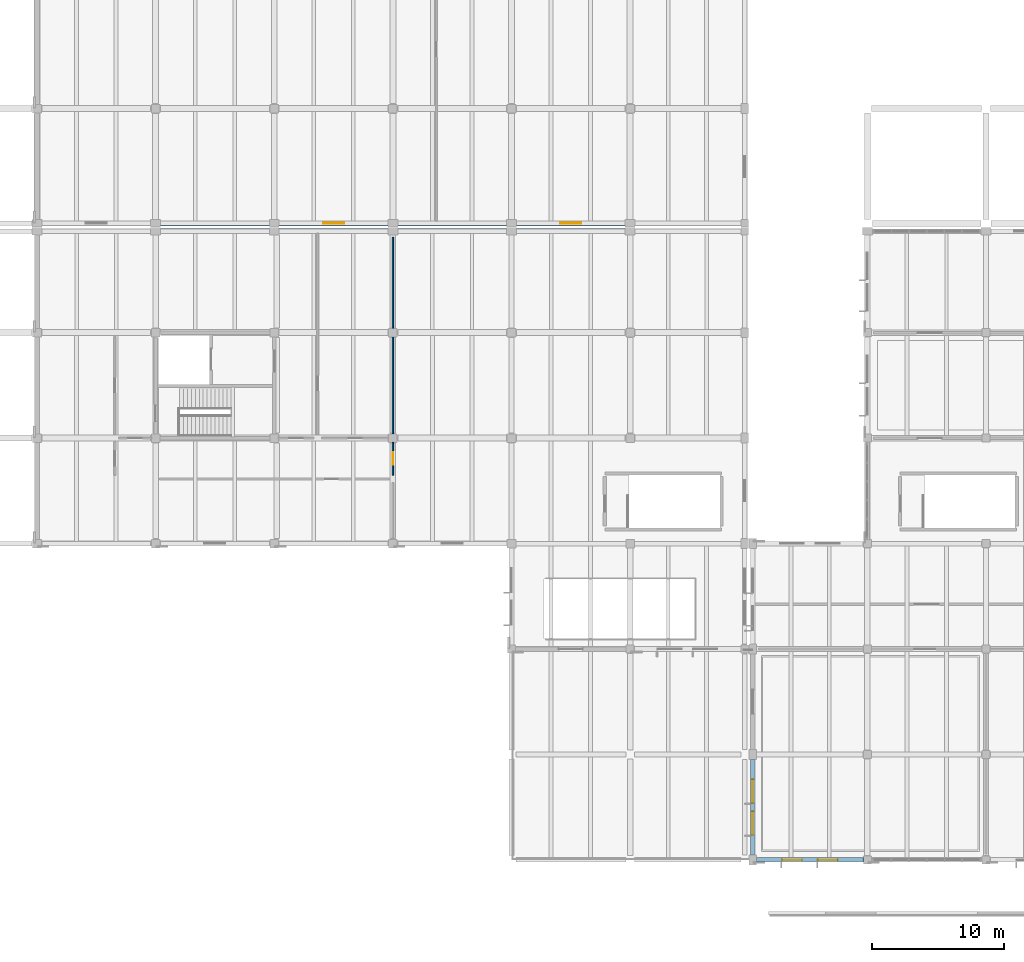
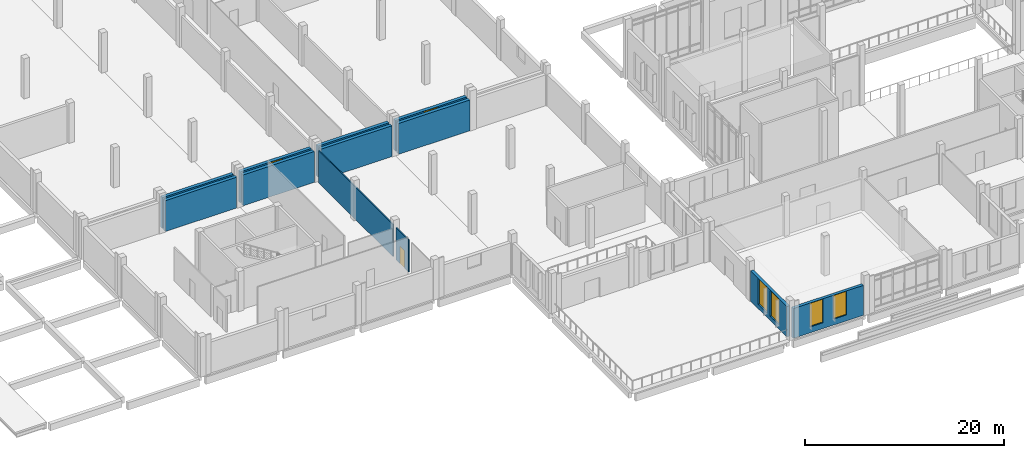
# One storey, part 76 of 110: 12 walls, 6 windows, 1 door, 7 openings.
"""IFC4 building model written with IfcOpenShell, lengths in metres."""

from ifc_helpers import new_model, si_unit, direction, frame, frame_2d, origin, place, context, subcontext, project, spatial, rectangle, extrude, material, layer, layer_set, type_object, element, fill, save


model = new_model("IFC4")

# Units and contexts
model_context = context("Model", 3, precision=1e-05, world=origin(), true_north=direction((0.0, 1.0)))
body_context = subcontext(model_context, "Body", "Model", "MODEL_VIEW")
ifc_project = project(units=[si_unit("LENGTHUNIT", "METRE"), si_unit("AREAUNIT", "SQUARE_METRE"), si_unit("VOLUMEUNIT", "CUBIC_METRE"), si_unit("PLANEANGLEUNIT", "RADIAN"), si_unit("MASSUNIT", "GRAM", prefix="KILO")], contexts=[model_context])

# Site, building, storey
site_placement = place(None, origin())
site = spatial("IfcSite", under=ifc_project, at=site_placement, CompositionType="ELEMENT")
building_placement = place(site_placement, origin())
building = spatial("IfcBuilding", under=site, at=building_placement, Name="Zacnel Wholesale Market", CompositionType="ELEMENT")
storey_placement = place(building_placement, frame((0.0, 0.0, 6.300048828125)))
storey = spatial("IfcBuildingStorey", under=building, at=storey_placement, Name="L02", CompositionType="ELEMENT", Elevation=6.300048828125)

# Walls
ifc_material_1 = material(Name="Precast concrete C40/50 (insulated sandwich panel)", Category="concrete")
ifc_layer_1 = layer(ifc_material_1, 0.3798828125)
ifc_layer_set_1 = layer_set([ifc_layer_1], Name="Precast concrete C40/50 (insulated sandwich panel)")
wall_type_1 = type_object("IfcWallType", Name="WL-EXT-COLD-380", PredefinedType="SOLIDWALL", material=ifc_layer_set_1)
for number, where, z_axis, x_axis, name in (
    (1, (27.375, 47.699951171875, 0.0), (0.0, 0.0, 1.0), (1.0, 0.0, 0.0), "Exterior wall L02-0181"),
    (2, (36.375, 47.699951171875, 0.0), (0.0, 0.0, 1.0), (1.0, 0.0, 0.0), "Exterior wall L02-0182"),
    (3, (45.375, 47.699951171875, 0.0), (0.0, 0.0, 1.0), (1.0, 0.0, 0.0), "Exterior wall L02-0183"),
    (4, (54.375, 47.699951171875, 0.0), (0.0, 0.0, 1.0), (1.0, 0.0, 0.0), "Exterior wall L02-0184"),
    (5, (27.375, 48.300048828125, 0.0), (0.0, 0.0, 1.0), (1.0, 0.0, 0.0), "Exterior wall L02-0193"),
):
    element("IfcWall", number, at=place(storey_placement, frame(where, z_axis=z_axis, x_axis=x_axis)), inside=storey, type_object=wall_type_1, Name=name, PredefinedType="SOLIDWALL", context=body_context, shape_type="SweptSolid", body=[
        extrude(rectangle(XDim=8.25, YDim=0.3798828125, at=frame_2d((4.125, 0.0))), origin(), (0.0, 0.0, 1.0), 3.780029296875),
    ])

# Wall, opening, window
wall_1_placement = place(storey_placement, frame((36.375, 48.300048828125, 0.0), z_axis=(0.0, 0.0, 1.0), x_axis=(1.0, 0.0, 0.0)))
wall_1 = element("IfcWall", 6, at=wall_1_placement, inside=storey, type_object=wall_type_1, Name="Exterior wall L02-0194", PredefinedType="SOLIDWALL", context=body_context, shape_type="SweptSolid", body=[
    extrude(rectangle(XDim=8.25, YDim=0.3798828125, at=frame_2d((4.125, 0.0))), origin(), (0.0, 0.0, 1.0), 3.780029296875),
])
opening_1_placement = place(wall_1_placement, frame((3.324951171875, 0.0, 2.2900390625)))
opening_1 = element("IfcOpeningElement", 7, at=opening_1_placement, cuts=wall_1, Name="Opening W-06", PredefinedType="OPENING", context=body_context, shape_type="SweptSolid", body=[
    extrude(rectangle(XDim=1.60009765625, YDim=1.449951171875, at=frame_2d((0.800048828125, 0.72509765625))), frame((0.0, 0.199951171875, 0.0), z_axis=(0.0, -1.0, 0.0), x_axis=(1.0, 0.0, 0.0)), (0.0, 0.0, 1.0), 0.39990234375),
])
ifc_material_2 = material(Name="Laminated hurricane-impact low-E insulated glass", Category="glass")
window_type_1 = type_object("IfcWindowType", Name="WIN-HIG-1600X1450", PartitioningType="DOUBLE_PANEL_HORIZONTAL", PredefinedType="WINDOW", material=ifc_material_2)
window_1_placement = place(opening_1_placement, origin())
window_1 = element("IfcWindow", 8, at=window_1_placement, inside=storey, type_object=window_type_1, Name="Window L02-0196", OverallHeight=1.449951171875, OverallWidth=1.60009765625, PartitioningType="DOUBLE_PANEL_HORIZONTAL", PredefinedType="WINDOW", context=body_context, shape_type="SweptSolid", body=[
    extrude(rectangle(XDim=1.60009765625, YDim=1.449951171875, at=frame_2d((0.800048828125, 0.72509765625))), frame((0.0, 0.030029296875, 0.0), z_axis=(0.0, -1.0, 0.0), x_axis=(1.0, 0.0, 0.0)), (0.0, 0.0, 1.0), 0.06005859375),
])
fill(opening_1, window_1)

# Wall
wall_2_placement = place(storey_placement, frame((45.375, 48.300048828125, 0.0), z_axis=(0.0, 0.0, 1.0), x_axis=(1.0, 0.0, 0.0)))
element("IfcWall", 9, at=wall_2_placement, inside=storey, type_object=wall_type_1, Name="Exterior wall L02-0195", PredefinedType="SOLIDWALL", context=body_context, shape_type="SweptSolid", body=[
    extrude(rectangle(XDim=8.25, YDim=0.3798828125, at=frame_2d((4.125, 0.0))), origin(), (0.0, 0.0, 1.0), 3.780029296875),
])

# Wall, opening, window
wall_3_placement = place(storey_placement, frame((54.375, 48.300048828125, 0.0), z_axis=(0.0, 0.0, 1.0), x_axis=(1.0, 0.0, 0.0)))
wall_3 = element("IfcWall", 10, at=wall_3_placement, inside=storey, type_object=wall_type_1, Name="Exterior wall L02-0196", PredefinedType="SOLIDWALL", context=body_context, shape_type="SweptSolid", body=[
    extrude(rectangle(XDim=8.25, YDim=0.3798828125, at=frame_2d((4.125, 0.0))), origin(), (0.0, 0.0, 1.0), 3.780029296875),
])
opening_2_placement = place(wall_3_placement, frame((3.324951171875, 0.0, 2.2900390625)))
opening_2 = element("IfcOpeningElement", 11, at=opening_2_placement, cuts=wall_3, Name="Opening W-06", PredefinedType="OPENING", context=body_context, shape_type="SweptSolid", body=[
    extrude(rectangle(XDim=1.60009765625, YDim=1.449951171875, at=frame_2d((0.800048828125, 0.72509765625))), frame((0.0, 0.199951171875, 0.0), z_axis=(0.0, -1.0, 0.0), x_axis=(1.0, 0.0, 0.0)), (0.0, 0.0, 1.0), 0.39990234375),
])
window_2_placement = place(opening_2_placement, origin())
window_2 = element("IfcWindow", 12, at=window_2_placement, inside=storey, type_object=window_type_1, Name="Window L02-0197", OverallHeight=1.449951171875, OverallWidth=1.60009765625, PartitioningType="DOUBLE_PANEL_HORIZONTAL", PredefinedType="WINDOW", context=body_context, shape_type="SweptSolid", body=[
    extrude(rectangle(XDim=1.60009765625, YDim=1.449951171875, at=frame_2d((0.800048828125, 0.72509765625))), frame((0.0, 0.030029296875, 0.0), z_axis=(0.0, -1.0, 0.0), x_axis=(1.0, 0.0, 0.0)), (0.0, 0.0, 1.0), 0.06005859375),
])
fill(opening_2, window_2)

# Wall, openings, windows
ifc_material_3 = material(Name="Precast concrete C40/50 (Cancun limestone aggregate)", Category="masonry")
ifc_layer_2 = layer(ifc_material_3, 0.340087890625)
ifc_layer_set_2 = layer_set([ifc_layer_2], Name="Precast concrete C40/50 (Cancun limestone aggregate)")
wall_type_2 = type_object("IfcWallType", Name="WL-EXT-LIME-340", PredefinedType="SOLIDWALL", material=ifc_layer_set_2)
wall_4_placement = place(storey_placement, frame((72.574951171875, 0.0, 0.0), z_axis=(0.0, 0.0, 1.0), x_axis=(1.0, 0.0, 0.0)))
wall_4 = element("IfcWall", 13, at=wall_4_placement, inside=storey, type_object=wall_type_2, Name="Exterior wall L02-0238", PredefinedType="SOLIDWALL", context=body_context, shape_type="SweptSolid", body=[
    extrude(rectangle(XDim=8.125, YDim=0.340087890625, at=frame_2d((4.0625, 0.0))), origin(), (0.0, 0.0, 1.0), 3.659912109375),
])
opening_3_placement = place(wall_4_placement, frame((1.9580078125, 0.0, 0.719970703125)))
opening_3 = element("IfcOpeningElement", 14, at=opening_3_placement, cuts=wall_4, Name="Opening W-04", PredefinedType="OPENING", context=body_context, shape_type="SweptSolid", body=[
    extrude(rectangle(XDim=1.5, YDim=2.89990234375, at=frame_2d((0.75, 1.449951171875))), frame((0.0, 0.179931640625, 0.0), z_axis=(0.0, -1.0, 0.0), x_axis=(1.0, 0.0, 0.0)), (0.0, 0.0, 1.0), 0.360107421875),
])
opening_4_placement = place(wall_4_placement, frame((4.6669921875, 0.0, 0.719970703125)))
opening_4 = element("IfcOpeningElement", 15, at=opening_4_placement, cuts=wall_4, Name="Opening W-04", PredefinedType="OPENING", context=body_context, shape_type="SweptSolid", body=[
    extrude(rectangle(XDim=1.5, YDim=2.89990234375, at=frame_2d((0.75, 1.449951171875))), frame((0.0, 0.179931640625, 0.0), z_axis=(0.0, -1.0, 0.0), x_axis=(1.0, 0.0, 0.0)), (0.0, 0.0, 1.0), 0.360107421875),
])
ifc_material_4 = material(Name="Laminated hurricane-impact low-E insulated glass", Category="glass")
window_type_2 = type_object("IfcWindowType", Name="WIN-DEC-1500X2900", PartitioningType="DOUBLE_PANEL_VERTICAL", PredefinedType="WINDOW", material=ifc_material_4)
window_3_placement = place(opening_3_placement, origin())
window_3 = element("IfcWindow", 16, at=window_3_placement, inside=storey, type_object=window_type_2, Name="Window L02-0213", OverallHeight=2.89990234375, OverallWidth=1.5, PartitioningType="DOUBLE_PANEL_VERTICAL", PredefinedType="WINDOW", context=body_context, shape_type="SweptSolid", body=[
    extrude(rectangle(XDim=1.5, YDim=2.89990234375, at=frame_2d((0.75, 1.449951171875))), frame((0.0, 0.030029296875, 0.0), z_axis=(0.0, -1.0, 0.0), x_axis=(1.0, 0.0, 0.0)), (0.0, 0.0, 1.0), 0.06005859375),
])
fill(opening_3, window_3)
window_4_placement = place(opening_4_placement, origin())
window_4 = element("IfcWindow", 17, at=window_4_placement, inside=storey, type_object=window_type_2, Name="Window L02-0214", OverallHeight=2.89990234375, OverallWidth=1.5, PartitioningType="DOUBLE_PANEL_VERTICAL", PredefinedType="WINDOW", context=body_context, shape_type="SweptSolid", body=[
    extrude(rectangle(XDim=1.5, YDim=2.89990234375, at=frame_2d((0.75, 1.449951171875))), frame((0.0, 0.030029296875, 0.0), z_axis=(0.0, -1.0, 0.0), x_axis=(1.0, 0.0, 0.0)), (0.0, 0.0, 1.0), 0.06005859375),
])
fill(opening_4, window_4)

wall_5_placement = place(storey_placement, frame((72.300048828125, 0.375, 0.0), z_axis=(0.0, 0.0, 1.0), x_axis=(0.0, 1.0, 0.0)))
wall_5 = element("IfcWall", 18, at=wall_5_placement, inside=storey, type_object=wall_type_2, Name="Exterior wall L02-0241", PredefinedType="SOLIDWALL", context=body_context, shape_type="SweptSolid", body=[
    extrude(rectangle(XDim=7.25, YDim=0.340087890625, at=frame_2d((3.625, 0.0))), origin(), (0.0, 0.0, 1.0), 3.72998046875),
])
opening_5_placement = place(wall_5_placement, frame((1.51708984375, 0.0, 0.5400390625)))
opening_5 = element("IfcOpeningElement", 19, at=opening_5_placement, cuts=wall_5, Name="Opening W-03", PredefinedType="OPENING", context=body_context, shape_type="SweptSolid", body=[
    extrude(rectangle(XDim=1.800048828125, YDim=3.14990234375, at=frame_2d((0.89990234375, 1.574951171875))), frame((0.0, 0.179931640625, 0.0), z_axis=(0.0, -1.0, 0.0), x_axis=(1.0, 0.0, 0.0)), (0.0, 0.0, 1.0), 0.360107421875),
])
opening_6_placement = place(wall_5_placement, frame((3.93310546875, 0.0, 0.5400390625)))
opening_6 = element("IfcOpeningElement", 20, at=opening_6_placement, cuts=wall_5, Name="Opening W-03", PredefinedType="OPENING", context=body_context, shape_type="SweptSolid", body=[
    extrude(rectangle(XDim=1.800048828125, YDim=3.14990234375, at=frame_2d((0.89990234375, 1.574951171875))), frame((0.0, 0.179931640625, 0.0), z_axis=(0.0, -1.0, 0.0), x_axis=(1.0, 0.0, 0.0)), (0.0, 0.0, 1.0), 0.360107421875),
])
ifc_material_5 = material(Name="Laminated hurricane-impact low-E insulated glass", Category="glass")
window_type_3 = type_object("IfcWindowType", Name="WIN-DEC-1800X3150", PartitioningType="DOUBLE_PANEL_VERTICAL", PredefinedType="WINDOW", material=ifc_material_5)
window_5_placement = place(opening_5_placement, origin())
window_5 = element("IfcWindow", 21, at=window_5_placement, inside=storey, type_object=window_type_3, Name="Window L02-0219", OverallHeight=3.14990234375, OverallWidth=1.800048828125, PartitioningType="DOUBLE_PANEL_VERTICAL", PredefinedType="WINDOW", context=body_context, shape_type="SweptSolid", body=[
    extrude(rectangle(XDim=1.800048828125, YDim=3.14990234375, at=frame_2d((0.89990234375, 1.574951171875))), frame((0.0, 0.030029296875, 0.0), z_axis=(0.0, -1.0, 0.0), x_axis=(1.0, 0.0, 0.0)), (0.0, 0.0, 1.0), 0.06005859375),
])
fill(opening_5, window_5)
window_6_placement = place(opening_6_placement, origin())
window_6 = element("IfcWindow", 22, at=window_6_placement, inside=storey, type_object=window_type_3, Name="Window L02-0220", OverallHeight=3.14990234375, OverallWidth=1.800048828125, PartitioningType="DOUBLE_PANEL_VERTICAL", PredefinedType="WINDOW", context=body_context, shape_type="SweptSolid", body=[
    extrude(rectangle(XDim=1.800048828125, YDim=3.14990234375, at=frame_2d((0.89990234375, 1.574951171875))), frame((0.0, 0.030029296875, 0.0), z_axis=(0.0, -1.0, 0.0), x_axis=(1.0, 0.0, 0.0)), (0.0, 0.0, 1.0), 0.06005859375),
])
fill(opening_6, window_6)

# Wall, opening, door
ifc_material_6 = material(Name="Moisture-resistant gypsum board partition")
ifc_layer_3 = layer(ifc_material_6, 0.125)
ifc_layer_set_3 = layer_set([ifc_layer_3], Name="Moisture-resistant gypsum board partition")
wall_type_3 = type_object("IfcWallType", Name="WL-PART-GYP125", PredefinedType="PARTITIONING", material=ifc_layer_set_3)
wall_6_placement = place(storey_placement, frame((45.0, 29.199951171875, 0.0), z_axis=(0.0, 0.0, 1.0), x_axis=(0.0, 1.0, 0.0)))
wall_6 = element("IfcWall", 23, at=wall_6_placement, inside=storey, type_object=wall_type_3, Name="Interior partition L02-0062", PredefinedType="PARTITIONING", context=body_context, shape_type="SweptSolid", body=[
    extrude(rectangle(XDim=2.5, YDim=0.125, at=frame_2d((1.25, 0.0))), origin(), (0.0, 0.0, 1.0), 3.949951171875),
])
opening_7_placement = place(wall_6_placement, frame((0.780029296875, 0.0, 0.0)))
opening_7 = element("IfcOpeningElement", 24, at=opening_7_placement, cuts=wall_6, Name="Opening ID-11", PredefinedType="OPENING", context=body_context, shape_type="SweptSolid", body=[
    extrude(rectangle(XDim=0.93994140625, YDim=2.139892578125, at=frame_2d((0.469970703125, 1.06982421875))), frame((0.0, 0.072509765625, 0.0), z_axis=(0.0, -1.0, 0.0), x_axis=(1.0, 0.0, 0.0)), (0.0, 0.0, 1.0), 0.14501953125),
])
ifc_material_7 = material(Name="Solid-core tropical hardwood door", Category="wood")
door_type = type_object("IfcDoorType", Name="DR-OFF-SGL-940", OperationType="NOTDEFINED", PredefinedType="DOOR", material=ifc_material_7)
door_placement = place(opening_7_placement, origin())
door = element("IfcDoor", 25, at=door_placement, inside=storey, type_object=door_type, Name="Interior door L02-0049", OperationType="SINGLE_SWING_RIGHT", OverallHeight=2.139892578125, OverallWidth=0.93994140625, PredefinedType="DOOR", context=body_context, shape_type="SweptSolid", body=[
    extrude(rectangle(XDim=0.93994140625, YDim=2.139892578125, at=frame_2d((0.469970703125, 1.06982421875))), frame((0.0, 0.02490234375, 0.0), z_axis=(0.0, -1.0, 0.0), x_axis=(1.0, 0.0, 0.0)), (0.0, 0.0, 1.0), 0.050048828125),
])
fill(opening_7, door)

# Wall
wall_7_placement = place(storey_placement, frame((45.0, 32.300048828125, 0.0), z_axis=(0.0, 0.0, 1.0), x_axis=(0.0, 1.0, 0.0)))
element("IfcWall", 26, at=wall_7_placement, inside=storey, type_object=wall_type_3, Name="Interior partition L02-0066", PredefinedType="PARTITIONING", context=body_context, shape_type="SweptSolid", body=[
    extrude(rectangle(XDim=14.949951171875, YDim=0.125, at=frame_2d((7.47509765625, 0.0))), origin(), (0.0, 0.0, 1.0), 3.949951171875),
])

save(model, "model.ifc")
